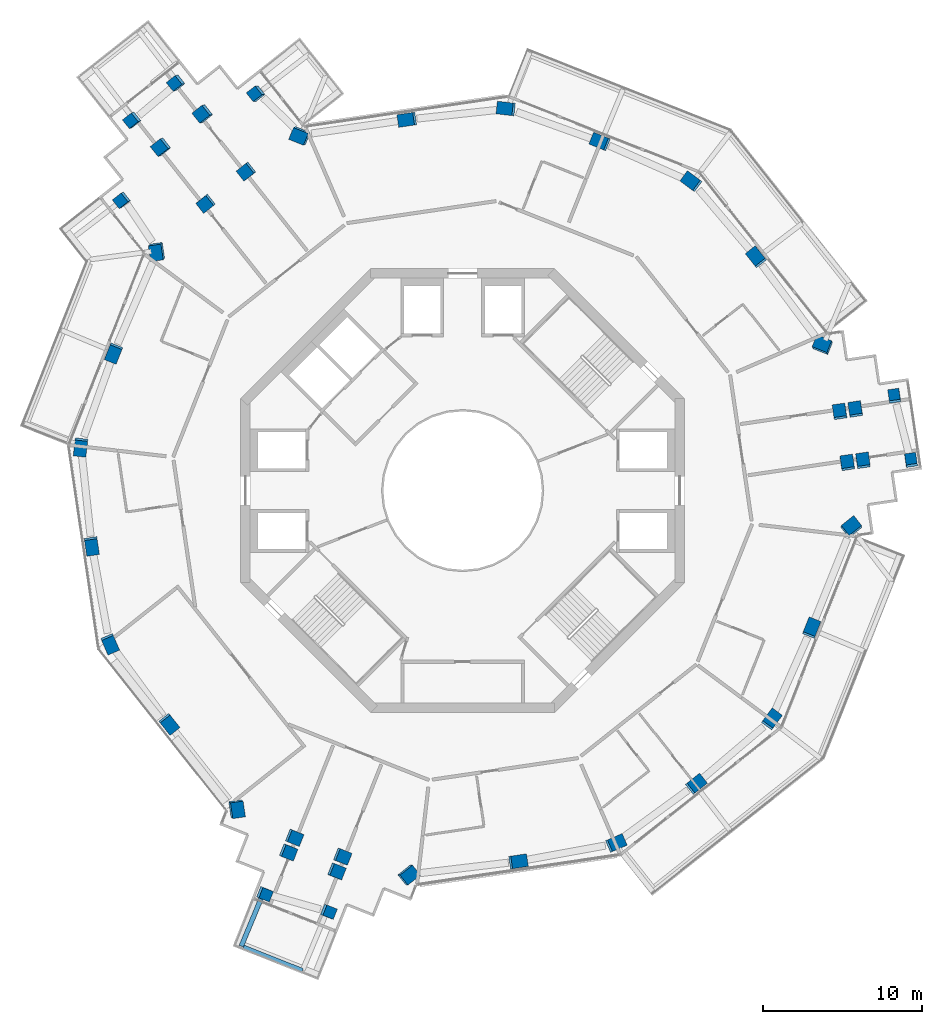
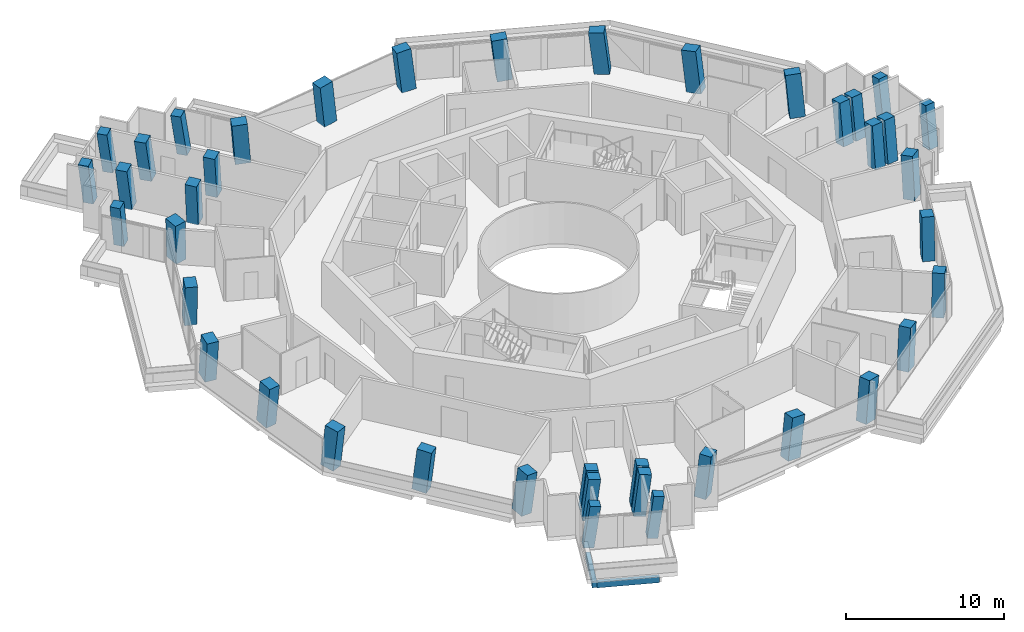
# One storey, part 1 of 21: 41 columns, 2 beams.
"""IFC4 building model written with IfcOpenShell, lengths in metres."""

from ifc_helpers import new_model, si_unit, direction, frame, origin, origin_2d, place, context, subcontext, project, spatial, rectangle, extrude, material, material_profile, profile_set, type_object, element, save


model = new_model("IFC4")

# Units and contexts
model_context = context("Model", 3, precision=1e-05, world=origin(), true_north=direction((0.0, 1.0)))
body_context = subcontext(model_context, "Body", "Model", "MODEL_VIEW")
ifc_project = project(units=[si_unit("LENGTHUNIT", "METRE"), si_unit("AREAUNIT", "SQUARE_METRE"), si_unit("VOLUMEUNIT", "CUBIC_METRE"), si_unit("PLANEANGLEUNIT", "RADIAN"), si_unit("MASSUNIT", "GRAM", prefix="KILO")], contexts=[model_context])

# Site, building, storey
site_placement = place(None, origin())
site = spatial("IfcSite", under=ifc_project, at=site_placement, CompositionType="ELEMENT")
building_placement = place(site_placement, origin())
building = spatial("IfcBuilding", under=site, at=building_placement, Name="Verdalira Terraces Hotel", CompositionType="ELEMENT")
storey_placement = place(building_placement, frame((0.0, 0.0, 190.5)))
storey = spatial("IfcBuildingStorey", under=building, at=storey_placement, Name="L46", CompositionType="ELEMENT", Elevation=190.5)

# Columns
ifc_material_1 = material(Name="Concrete C60", Category="concrete")
ifc_material_profile_1 = material_profile(ifc_material_1, rectangle(XDim=1.0, YDim=0.800049, at=origin_2d()), Name="RC 1000X800")
ifc_profile_set_1 = profile_set([ifc_material_profile_1], Name="Concrete C60")
column_type_1 = type_object("IfcColumnType", Name="Column RC 1000X800 C60", PredefinedType="COLUMN", material=ifc_profile_set_1)
column_1_placement = place(storey_placement, frame((-19.270996, 15.105225, 0.0), z_axis=(-0.071073188, -0.092205109, 0.993200292), x_axis=(-0.152064575, 0.985081162, 0.080569652)))
element("IfcColumn", 1, at=column_1_placement, inside=storey, type_object=column_type_1, Name="Column C03", PredefinedType="COLUMN", context=body_context, shape_type="SweptSolid", body=[
    extrude(rectangle(XDim=1.0, YDim=0.800049, at=origin_2d()), origin(), (0.0, 0.0, 1.0), 3.21167),
])
column_2_placement = place(storey_placement, frame((-21.99707, 8.709229, 0.0), z_axis=(-0.04053392, -0.104947109, 0.9936514), x_axis=(-0.365857575, -0.923846438, -0.112498865)))
element("IfcColumn", 2, at=column_2_placement, inside=storey, type_object=column_type_1, Name="Column C04", PredefinedType="COLUMN", context=body_context, shape_type="SweptSolid", body=[
    extrude(rectangle(XDim=1.0, YDim=0.800049, at=origin_2d()), origin(), (0.0, 0.0, 1.0), 3.210205),
])
column_3_placement = place(storey_placement, frame((-24.093994, 2.787842, 0.0), z_axis=(-0.012315789, -0.114719294, 0.993321602), x_axis=(0.114411018, 0.986711138, 0.115374383)))
element("IfcColumn", 3, at=column_3_placement, inside=storey, type_object=column_type_1, Name="Column C05", PredefinedType="COLUMN", context=body_context, shape_type="SweptSolid", body=[
    extrude(rectangle(XDim=1.0, YDim=0.800049, at=origin_2d()), origin(), (0.0, 0.0, 1.0), 3.211426),
])
column_4_placement = place(storey_placement, frame((-23.404541, -3.456055, 0.0), z_axis=(0.017339041, -0.111182795, 0.993648702), x_axis=(0.144773256, -0.983045954, -0.112522692)))
element("IfcColumn", 4, at=column_4_placement, inside=storey, type_object=column_type_1, Name="Column C06", PredefinedType="COLUMN", context=body_context, shape_type="SweptSolid", body=[
    extrude(rectangle(XDim=1.0, YDim=0.800049, at=origin_2d()), origin(), (0.0, 0.0, 1.0), 3.210449),
])
column_5_placement = place(storey_placement, frame((-22.26001, -9.632812, 0.0), z_axis=(0.046678706, -0.105445221, 0.99332895), x_axis=(-0.394366098, 0.911690041, 0.115311103)))
element("IfcColumn", 5, at=column_5_placement, inside=storey, type_object=column_type_1, Name="Column C07", PredefinedType="COLUMN", context=body_context, shape_type="SweptSolid", body=[
    extrude(rectangle(XDim=1.0, YDim=0.800049, at=origin_2d()), origin(), (0.0, 0.0, 1.0), 3.211426),
])
column_6_placement = place(storey_placement, frame((-18.541016, -14.695312, 0.0), z_axis=(0.070648839, -0.087607602, 0.993646642), x_axis=(0.617165473, -0.778743429, -0.112540881)))
element("IfcColumn", 6, at=column_6_placement, inside=storey, type_object=column_type_1, Name="Column C08", PredefinedType="COLUMN", context=body_context, shape_type="SweptSolid", body=[
    extrude(rectangle(XDim=1.0, YDim=0.800049, at=origin_2d()), origin(), (0.0, 0.0, 1.0), 3.210449),
])
column_7_placement = place(storey_placement, frame((-14.288086, -20.060791, 0.0), z_axis=(0.09592239, -0.06711527, 0.993123575), x_axis=(-0.138826296, 0.987070843, 0.080114981)))
element("IfcColumn", 7, at=column_7_placement, inside=storey, type_object=column_type_1, Name="Column C09", PredefinedType="COLUMN", context=body_context, shape_type="SweptSolid", body=[
    extrude(rectangle(XDim=1.0, YDim=0.800049, at=origin_2d()), origin(), (0.0, 0.0, 1.0), 3.211914),
])
column_8_placement = place(storey_placement, frame((-3.446045, -24.241699, 0.0), z_axis=(0.115389431, -0.015430866, 0.993200467), x_axis=(-0.776978097, -0.624350651, 0.080568618)))
element("IfcColumn", 8, at=column_8_placement, inside=storey, type_object=column_type_1, Name="Column C12", PredefinedType="COLUMN", context=body_context, shape_type="SweptSolid", body=[
    extrude(rectangle(XDim=1.0, YDim=0.800049, at=origin_2d()), origin(), (0.0, 0.0, 1.0), 3.21167),
])
column_9_placement = place(storey_placement, frame((3.456055, -23.404541, 0.0), z_axis=(0.111182795, 0.017339041, 0.993648702), x_axis=(0.983045954, 0.144773256, -0.112522692)))
element("IfcColumn", 9, at=column_9_placement, inside=storey, type_object=column_type_1, Name="Column C13", PredefinedType="COLUMN", context=body_context, shape_type="SweptSolid", body=[
    extrude(rectangle(XDim=1.0, YDim=0.800049, at=origin_2d()), origin(), (0.0, 0.0, 1.0), 3.210449),
])
column_10_placement = place(storey_placement, frame((9.632812, -22.26001, 0.0), z_axis=(0.105445221, 0.046678706, 0.99332895), x_axis=(-0.911690041, -0.394366098, 0.115311103)))
element("IfcColumn", 10, at=column_10_placement, inside=storey, type_object=column_type_1, Name="Column C14", PredefinedType="COLUMN", context=body_context, shape_type="SweptSolid", body=[
    extrude(rectangle(XDim=1.0, YDim=0.800049, at=origin_2d()), origin(), (0.0, 0.0, 1.0), 3.211426),
])
column_11_placement = place(storey_placement, frame((14.695312, -18.541016, 0.0), z_axis=(0.087607602, 0.070648839, 0.993646642), x_axis=(0.778743429, 0.617165473, -0.112540881)))
element("IfcColumn", 11, at=column_11_placement, inside=storey, type_object=column_type_1, Name="Column C15", PredefinedType="COLUMN", context=body_context, shape_type="SweptSolid", body=[
    extrude(rectangle(XDim=1.0, YDim=0.800049, at=origin_2d()), origin(), (0.0, 0.0, 1.0), 3.210449),
])
column_12_placement = place(storey_placement, frame((19.472168, -14.461182, 0.0), z_axis=(0.06796559, 0.093129584, 0.993331545), x_axis=(-0.592364206, -0.797378926, 0.115288748)))
element("IfcColumn", 12, at=column_12_placement, inside=storey, type_object=column_type_1, Name="Column C16", PredefinedType="COLUMN", context=body_context, shape_type="SweptSolid", body=[
    extrude(rectangle(XDim=1.0, YDim=0.800049, at=origin_2d()), origin(), (0.0, 0.0, 1.0), 3.211426),
])
column_13_placement = place(storey_placement, frame((21.99707, -8.709229, 0.0), z_axis=(0.04053392, 0.104947109, 0.9936514), x_axis=(0.365857575, 0.923846438, -0.112498865)))
element("IfcColumn", 13, at=column_13_placement, inside=storey, type_object=column_type_1, Name="Column C17", PredefinedType="COLUMN", context=body_context, shape_type="SweptSolid", body=[
    extrude(rectangle(XDim=1.0, YDim=0.800049, at=origin_2d()), origin(), (0.0, 0.0, 1.0), 3.210205),
])
column_14_placement = place(storey_placement, frame((24.517334, -2.343506, 0.0), z_axis=(0.010109138, 0.116597131, 0.993127844), x_axis=(-0.785151985, -0.614102533, 0.080090196)))
element("IfcColumn", 14, at=column_14_placement, inside=storey, type_object=column_type_1, Name="Column C18", PredefinedType="COLUMN", context=body_context, shape_type="SweptSolid", body=[
    extrude(rectangle(XDim=1.0, YDim=0.800049, at=origin_2d()), origin(), (0.0, 0.0, 1.0), 3.211914),
])
column_15_placement = place(storey_placement, frame((22.717041, 9.136719, 0.0), z_axis=(-0.044316306, 0.107636174, 0.993202154), x_axis=(0.929161493, -0.360789722, 0.080558656)))
element("IfcColumn", 15, at=column_15_placement, inside=storey, type_object=column_type_1, Name="Column C21", PredefinedType="COLUMN", context=body_context, shape_type="SweptSolid", body=[
    extrude(rectangle(XDim=1.0, YDim=0.800049, at=origin_2d()), origin(), (0.0, 0.0, 1.0), 3.21167),
])
column_16_placement = place(storey_placement, frame((18.541016, 14.695312, 0.0), z_axis=(-0.070648839, 0.087607602, 0.993646642), x_axis=(-0.617165473, 0.778743429, -0.112540881)))
element("IfcColumn", 16, at=column_16_placement, inside=storey, type_object=column_type_1, Name="Column C22", PredefinedType="COLUMN", context=body_context, shape_type="SweptSolid", body=[
    extrude(rectangle(XDim=1.0, YDim=0.800049, at=origin_2d()), origin(), (0.0, 0.0, 1.0), 3.210449),
])
column_17_placement = place(storey_placement, frame((14.461182, 19.472168, 0.0), z_axis=(-0.093129584, 0.06796559, 0.993331545), x_axis=(0.797378926, -0.592364206, 0.115288748)))
element("IfcColumn", 17, at=column_17_placement, inside=storey, type_object=column_type_1, Name="Column C23", PredefinedType="COLUMN", context=body_context, shape_type="SweptSolid", body=[
    extrude(rectangle(XDim=1.0, YDim=0.800049, at=origin_2d()), origin(), (0.0, 0.0, 1.0), 3.211426),
])
column_18_placement = place(storey_placement, frame((8.709229, 21.99707, 0.0), z_axis=(-0.104947109, 0.04053392, 0.9936514), x_axis=(-0.923846438, 0.365857575, -0.112498865)))
element("IfcColumn", 18, at=column_18_placement, inside=storey, type_object=column_type_1, Name="Column C24", PredefinedType="COLUMN", context=body_context, shape_type="SweptSolid", body=[
    extrude(rectangle(XDim=1.0, YDim=0.800049, at=origin_2d()), origin(), (0.0, 0.0, 1.0), 3.210205),
])
column_19_placement = place(storey_placement, frame((2.787842, 24.093994, 0.0), z_axis=(-0.114719294, 0.012315789, 0.993321602), x_axis=(0.986711138, -0.114411018, 0.115374383)))
element("IfcColumn", 19, at=column_19_placement, inside=storey, type_object=column_type_1, Name="Column C25", PredefinedType="COLUMN", context=body_context, shape_type="SweptSolid", body=[
    extrude(rectangle(XDim=1.0, YDim=0.800049, at=origin_2d()), origin(), (0.0, 0.0, 1.0), 3.211426),
])
column_20_placement = place(storey_placement, frame((-3.456055, 23.404541, 0.0), z_axis=(-0.111182795, -0.017339041, 0.993648702), x_axis=(-0.983045954, -0.144773256, -0.112522692)))
element("IfcColumn", 20, at=column_20_placement, inside=storey, type_object=column_type_1, Name="Column C26", PredefinedType="COLUMN", context=body_context, shape_type="SweptSolid", body=[
    extrude(rectangle(XDim=1.0, YDim=0.800049, at=origin_2d()), origin(), (0.0, 0.0, 1.0), 3.210449),
])
column_21_placement = place(storey_placement, frame((-10.229004, 22.404297, 0.0), z_axis=(-0.106107407, -0.049481319, 0.99312276), x_axis=(0.924117182, -0.37361513, 0.08011971)))
element("IfcColumn", 21, at=column_21_placement, inside=storey, type_object=column_type_1, Name="Column C27", PredefinedType="COLUMN", context=body_context, shape_type="SweptSolid", body=[
    extrude(rectangle(XDim=1.0, YDim=0.800049, at=origin_2d()), origin(), (0.0, 0.0, 1.0), 3.211914),
])
ifc_material_2 = material(Name="Concrete C60", Category="concrete")
ifc_material_profile_2 = material_profile(ifc_material_2, rectangle(XDim=0.699951, YDim=0.699951, at=origin_2d()), Name="RC 700X700")
ifc_profile_set_2 = profile_set([ifc_material_profile_2], Name="Concrete C60")
column_type_2 = type_object("IfcColumnType", Name="Column RC 700X700 C60", PredefinedType="COLUMN", material=ifc_profile_set_2)
column_22_placement = place(storey_placement, frame((-12.962891, 25.048828, 0.0), z_axis=(-0.155864725, -0.016100478, 0.987647185), x_axis=(-0.610089338, 0.787927295, -0.083436071)))
element("IfcColumn", 22, at=column_22_placement, inside=storey, type_object=column_type_2, Name="Column C01", PredefinedType="COLUMN", context=body_context, shape_type="SweptSolid", body=[
    extrude(rectangle(XDim=0.699951, YDim=0.699951, at=origin_2d()), origin(), (0.0, 0.0, 1.0), 3.229736),
])
column_23_placement = place(storey_placement, frame((-21.455078, 18.34375, 0.0), z_axis=(-0.124118767, -0.056183266, 0.990675513), x_axis=(0.61746789, -0.78591235, 0.03278998)))
element("IfcColumn", 23, at=column_23_placement, inside=storey, type_object=column_type_2, Name="Column C02", PredefinedType="COLUMN", context=body_context, shape_type="SweptSolid", body=[
    extrude(rectangle(XDim=0.699951, YDim=0.699951, at=origin_2d()), origin(), (0.0, 0.0, 1.0), 3.219971),
])
column_24_placement = place(storey_placement, frame((-12.541016, -25.427246, 0.0), z_axis=(0.121115179, -0.058472012, 0.990914798), x_axis=(0.92187994, -0.363520365, -0.134128001)))
element("IfcColumn", 24, at=column_24_placement, inside=storey, type_object=column_type_2, Name="Column C10", PredefinedType="COLUMN", context=body_context, shape_type="SweptSolid", body=[
    extrude(rectangle(XDim=0.699951, YDim=0.699951, at=origin_2d()), origin(), (0.0, 0.0, 1.0), 3.219238),
])
column_25_placement = place(storey_placement, frame((-8.51123, -26.549561, 0.0), z_axis=(0.126310136, -0.039296487, 0.991212155), x_axis=(0.921250034, -0.36592386, -0.131901872)))
element("IfcColumn", 25, at=column_25_placement, inside=storey, type_object=column_type_2, Name="Column C11", PredefinedType="COLUMN", context=body_context, shape_type="SweptSolid", body=[
    extrude(rectangle(XDim=0.699951, YDim=0.699951, at=origin_2d()), origin(), (0.0, 0.0, 1.0), 3.218262),
])
column_26_placement = place(storey_placement, frame((28.29126, 1.852783, 0.0), z_axis=(-0.009934987, 0.134084399, 0.990920113), x_axis=(-0.146257964, 0.980116709, -0.134088943)))
element("IfcColumn", 26, at=column_26_placement, inside=storey, type_object=column_type_2, Name="Column C19", PredefinedType="COLUMN", context=body_context, shape_type="SweptSolid", body=[
    extrude(rectangle(XDim=0.699951, YDim=0.699951, at=origin_2d()), origin(), (0.0, 0.0, 1.0), 3.219238),
])
column_27_placement = place(storey_placement, frame((27.248291, 5.903809, 0.0), z_axis=(-0.029130961, 0.129041052, 0.991211276), x_axis=(-0.143772582, 0.980780102, -0.131908436)))
element("IfcColumn", 27, at=column_27_placement, inside=storey, type_object=column_type_2, Name="Column C20", PredefinedType="COLUMN", context=body_context, shape_type="SweptSolid", body=[
    extrude(rectangle(XDim=0.699951, YDim=0.699951, at=origin_2d()), origin(), (0.0, 0.0, 1.0), 3.218262),
])
column_28_placement = place(storey_placement, frame((-18.009033, 25.732422, 0.0), z_axis=(-0.158632962, -0.039941379, 0.986529406), x_axis=(-0.768671734, -0.622097886, -0.148788389)))
element("IfcColumn", 28, at=column_28_placement, inside=storey, type_object=column_type_2, Name="Column C28", PredefinedType="COLUMN", context=body_context, shape_type="SweptSolid", body=[
    extrude(rectangle(XDim=0.699951, YDim=0.699951, at=origin_2d()), origin(), (0.0, 0.0, 1.0), 3.233398),
])
column_29_placement = place(storey_placement, frame((-20.785645, 23.391357, 0.0), z_axis=(-0.147621972, -0.052986688, 0.987623493), x_axis=(-0.770459513, -0.619969753, -0.148423865)))
element("IfcColumn", 29, at=column_29_placement, inside=storey, type_object=column_type_2, Name="Column C29", PredefinedType="COLUMN", context=body_context, shape_type="SweptSolid", body=[
    extrude(rectangle(XDim=0.699951, YDim=0.699951, at=origin_2d()), origin(), (0.0, 0.0, 1.0), 3.22998),
])
ifc_material_3 = material(Name="Concrete C60", Category="concrete")
ifc_material_profile_3 = material_profile(ifc_material_3, rectangle(XDim=0.800049, YDim=0.800049, at=origin_2d()), Name="RC 800X800")
ifc_profile_set_3 = profile_set([ifc_material_profile_3], Name="Concrete C60")
column_type_3 = type_object("IfcColumnType", Name="Column RC 800X800 C60", PredefinedType="COLUMN", material=ifc_profile_set_3)
for number, where, z_axis, x_axis, name in (
    (30, (-13.613037, 20.164307, 0.0), (-0.095329959, -0.065529845, 0.993286484), (-0.620428863, 0.784223861, -0.007807809), "Column C30"),
    (31, (-16.165283, 18.141602, 0.0), (-0.085600607, -0.077618312, 0.993301532), (-0.622053521, 0.7829381, 0.007572902), "Column C31"),
):
    element("IfcColumn", number, at=place(storey_placement, frame(where, z_axis=z_axis, x_axis=x_axis)), inside=storey, type_object=column_type_3, Name=name, PredefinedType="COLUMN", context=body_context, shape_type="SweptSolid", body=[
        extrude(rectangle(XDim=0.800049, YDim=0.800049, at=origin_2d()), origin(), (0.0, 0.0, 1.0), 3.211426),
    ])
column_30_placement = place(storey_placement, frame((-16.333496, 23.781006, 0.0), z_axis=(-0.149750738, -0.032067835, 0.988203608), x_axis=(-0.612632067, 0.787499225, -0.067282399)))
element("IfcColumn", 32, at=column_30_placement, inside=storey, type_object=column_type_3, Name="Column C32", PredefinedType="COLUMN", context=body_context, shape_type="SweptSolid", body=[
    extrude(rectangle(XDim=0.800049, YDim=0.800049, at=origin_2d()), origin(), (0.0, 0.0, 1.0), 3.228027),
])
column_31_placement = place(storey_placement, frame((-18.975342, 21.687012, 0.0), z_axis=(-0.139903669, -0.044439098, 0.989167392), x_axis=(-0.614458007, 0.787264379, -0.0515379)))
element("IfcColumn", 33, at=column_31_placement, inside=storey, type_object=column_type_3, Name="Column C33", PredefinedType="COLUMN", context=body_context, shape_type="SweptSolid", body=[
    extrude(rectangle(XDim=0.800049, YDim=0.800049, at=origin_2d()), origin(), (0.0, 0.0, 1.0), 3.224854),
])
for number, where, z_axis, x_axis, name in (
    (34, (-10.65625, -21.871338, 0.0), (0.104451643, -0.049869198, 0.993278872), (-0.369369324, -0.929249844, -0.007812218), "Column C34"),
    (35, (-7.628418, -23.070312, 0.0), (0.110004007, -0.035274263, 0.993305011), (-0.36668168, -0.93031566, 0.007570942), "Column C35"),
):
    element("IfcColumn", number, at=place(storey_placement, frame(where, z_axis=z_axis, x_axis=x_axis)), inside=storey, type_object=column_type_3, Name=name, PredefinedType="COLUMN", context=body_context, shape_type="SweptSolid", body=[
        extrude(rectangle(XDim=0.800049, YDim=0.800049, at=origin_2d()), origin(), (0.0, 0.0, 1.0), 3.211426),
    ])
for number, where, z_axis, x_axis, name in (
    (36, (-11.039795, -22.794922, 0.0), (0.10872493, -0.051589257, 0.992732309), (-0.369362264, -0.929252437, -0.007837518), "Column C36"),
    (37, (-7.996582, -24.0, 0.0), (0.11442449, -0.03700181, 0.992742616), (-0.366810002, -0.930264788, 0.007605764), "Column C37"),
):
    element("IfcColumn", number, at=place(storey_placement, frame(where, z_axis=z_axis, x_axis=x_axis)), inside=storey, type_object=column_type_3, Name=name, PredefinedType="COLUMN", context=body_context, shape_type="SweptSolid", body=[
        extrude(rectangle(XDim=0.800049, YDim=0.800049, at=origin_2d()), origin(), (0.0, 0.0, 1.0), 3.213379),
    ])
for number, where, z_axis, x_axis, name in (
    (38, (24.269287, 1.707275, 0.0), (-0.009122481, 0.115323361, 0.993286113), (0.989325963, 0.14551005, -0.007808023), "Column C38"),
    (39, (23.793701, 4.928711, 0.0), (-0.02440295, 0.112968173, 0.993298891), (0.989098329, 0.147061636, 0.007574389), "Column C39"),
):
    element("IfcColumn", number, at=place(storey_placement, frame(where, z_axis=z_axis, x_axis=x_axis)), inside=storey, type_object=column_type_3, Name=name, PredefinedType="COLUMN", context=body_context, shape_type="SweptSolid", body=[
        extrude(rectangle(XDim=0.800049, YDim=0.800049, at=origin_2d()), origin(), (0.0, 0.0, 1.0), 3.211426),
    ])
for number, where, z_axis, x_axis, name in (
    (40, (25.260986, 1.83667, 0.0), (-0.009725198, 0.119969432, 0.992729951), (0.989390526, 0.145068742, -0.007838784), "Column C40"),
    (41, (24.782959, 5.074707, 0.0), (-0.025149026, 0.117615387, 0.992740725), (0.989065453, 0.147280913, 0.007606751), "Column C41"),
):
    element("IfcColumn", number, at=place(storey_placement, frame(where, z_axis=z_axis, x_axis=x_axis)), inside=storey, type_object=column_type_3, Name=name, PredefinedType="COLUMN", context=body_context, shape_type="SweptSolid", body=[
        extrude(rectangle(XDim=0.800049, YDim=0.800049, at=origin_2d()), origin(), (0.0, 0.0, 1.0), 3.213379),
    ])

# Beams
ifc_material_4 = material(Name="Concrete C40", Category="concrete")
ifc_material_profile_4 = material_profile(ifc_material_4, rectangle(XDim=0.300049, YDim=0.5, at=origin_2d()), Name="RC 300X500")
ifc_profile_set_4 = profile_set([ifc_material_profile_4], Name="Concrete C40")
beam_type_1 = type_object("IfcBeamType", Name="Balcony cantilever beam RC 300X500 C40", PredefinedType="BEAM", material=ifc_profile_set_4)
beam_1_placement = place(storey_placement, frame((-12.712891, -25.731445, -0.560059), z_axis=(-0.3836457, -0.923480361, 0.0), x_axis=(0.923480361, -0.3836457, 0.0)))
element("IfcBeam", 42, at=beam_1_placement, inside=storey, type_object=beam_type_1, Name="Balcony cantilever beam R19-1", PredefinedType="BEAM", context=body_context, shape_type="SweptSolid", body=[
    extrude(rectangle(XDim=0.300049, YDim=0.5, at=origin_2d()), origin(), (0.0, 0.0, 1.0), 3.254395),
])
ifc_material_5 = material(Name="Concrete C40", Category="concrete")
ifc_material_profile_5 = material_profile(ifc_material_5, rectangle(XDim=0.25, YDim=0.449951, at=origin_2d()), Name="RC 250X450")
ifc_profile_set_5 = profile_set([ifc_material_profile_5], Name="Concrete C40")
beam_type_2 = type_object("IfcBeamType", Name="Balcony edge beam RC 250X450 C40", PredefinedType="BEAM", material=ifc_profile_set_5)
beam_2_placement = place(storey_placement, frame((-13.822021, -28.791992, -0.534912), z_axis=(0.929762258, -0.368160485, 0.0), x_axis=(0.368160485, 0.929762258, 0.0)))
element("IfcBeam", 43, at=beam_2_placement, inside=storey, type_object=beam_type_2, Name="Balcony edge beam R19-1", PredefinedType="BEAM", context=body_context, shape_type="SweptSolid", body=[
    extrude(rectangle(XDim=0.25, YDim=0.449951, at=origin_2d()), origin(), (0.0, 0.0, 1.0), 4.003418),
])

save(model, "model.ifc")
